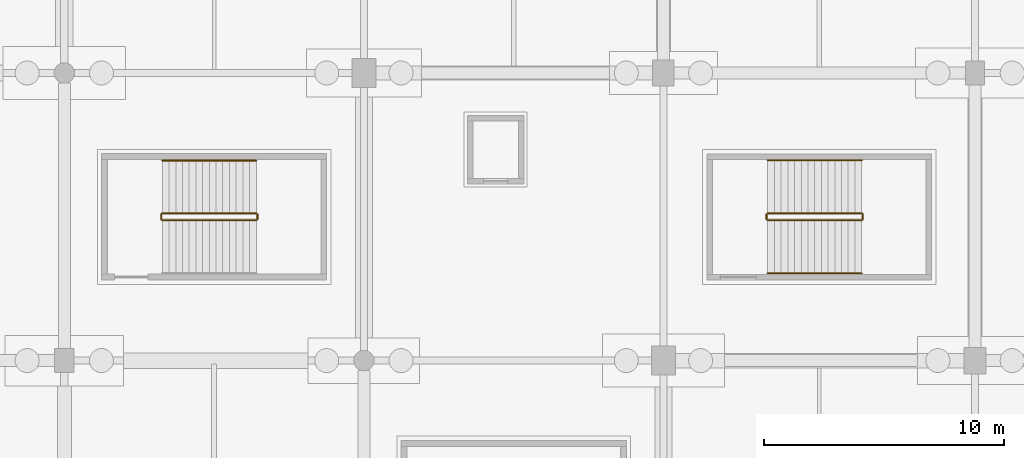
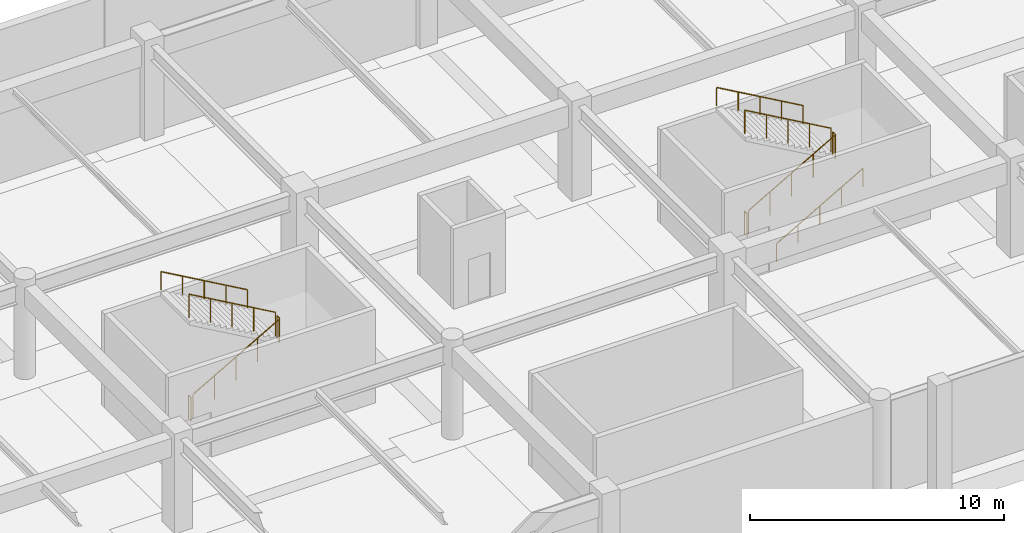
# One storey, part 54 of 56: 11 railings.
"""IFC4 building model written with IfcOpenShell, lengths in metres."""

from ifc_helpers import new_model, si_unit, direction, frame, origin, origin_2d, place, context, subcontext, project, spatial, circle, extrude, material, layer, layer_set, type_object, element, save


model = new_model("IFC4")

# Units and contexts
model_context = context("Model", 3, precision=1e-05, world=origin(), true_north=direction((0.0, 1.0)))
body_context = subcontext(model_context, "Body", "Model", "MODEL_VIEW")
ifc_project = project(units=[si_unit("LENGTHUNIT", "METRE"), si_unit("AREAUNIT", "SQUARE_METRE"), si_unit("VOLUMEUNIT", "CUBIC_METRE"), si_unit("PLANEANGLEUNIT", "RADIAN"), si_unit("MASSUNIT", "GRAM", prefix="KILO")], contexts=[model_context])

# Site, building, storey
site_placement = place(None, origin())
site = spatial("IfcSite", under=ifc_project, at=site_placement, CompositionType="ELEMENT")
building_placement = place(site_placement, origin())
building = spatial("IfcBuilding", under=site, at=building_placement, Name="Kazenohara Klinker Stadium", CompositionType="ELEMENT")
storey_placement = place(building_placement, frame((0.0, 0.0, -4.800048828125)))
storey = spatial("IfcBuildingStorey", under=building, at=storey_placement, Name="B01", CompositionType="ELEMENT", Elevation=-4.800048828125)

# Railings
ifc_material_1 = material(Name="Brushed stainless steel 304 handrail", Category="steel")
ifc_layer_1 = layer(ifc_material_1, 0.050048828125)
ifc_layer_set_1 = layer_set([ifc_layer_1], Name="Brushed stainless steel 304 handrail")
railing_type_1 = type_object("IfcRailingType", Name="RL-HND-900", PredefinedType="HANDRAIL", material=ifc_layer_set_1)
railing_1_placement = place(storey_placement, frame((82.010009765625, 152.35009765625, 2.56005859375)))
element("IfcRailing", 1, at=railing_1_placement, inside=storey, type_object=railing_type_1, Name="B01 ST09 stair handrail 2", PredefinedType="HANDRAIL", context=body_context, shape_type="SweptSolid", body=[
    extrude(circle(Radius=0.02392578125, at=origin_2d()), frame((0.0, 0.0, 0.8759765625), z_axis=(-0.868239814368, 0.0, 0.496144761885), x_axis=(0.0, -1.0, 0.0)), (0.0, 0.0, 1.0), 4.514892578125),
    extrude(circle(Radius=0.02099609375, at=origin_2d()), origin(), (0.0, 0.0, 1.0), 0.851806640625),
    extrude(circle(Radius=0.02099609375, at=origin_2d()), frame((-0.97998046875, 0.0, 0.56005859375)), (0.0, 0.0, 1.0), 0.851806640625),
    extrude(circle(Radius=0.02099609375, at=origin_2d()), frame((-1.9599609375, 0.0, 1.1201171875)), (0.0, 0.0, 1.0), 0.851806640625),
    extrude(circle(Radius=0.02099609375, at=origin_2d()), frame((-2.93994140625, 0.0, 1.679931640625)), (0.0, 0.0, 1.0), 0.851806640625),
    extrude(circle(Radius=0.02099609375, at=origin_2d()), frame((-3.919921875, 0.0, 2.239990234375)), (0.0, 0.0, 1.0), 0.851806640625),
])
railing_2_placement = place(storey_placement, frame((103.35009765625, 147.639892578125, 0.16015625)))
element("IfcRailing", 2, at=railing_2_placement, inside=storey, type_object=railing_type_1, Name="B01 ST10 stair handrail 1", PredefinedType="HANDRAIL", context=body_context, shape_type="SweptSolid", body=[
    extrude(circle(Radius=0.02392578125, at=origin_2d()), frame((0.0, 0.0, 0.8759765625), z_axis=(0.868239814368, 0.0, 0.496144761885), x_axis=(0.0, 1.0, 0.0)), (0.0, 0.0, 1.0), 4.514892578125),
    extrude(circle(Radius=0.02099609375, at=origin_2d()), origin(), (0.0, 0.0, 1.0), 0.851806640625),
    extrude(circle(Radius=0.02099609375, at=origin_2d()), frame((0.97998046875, 0.0, 0.56005859375)), (0.0, 0.0, 1.0), 0.851806640625),
    extrude(circle(Radius=0.02099609375, at=origin_2d()), frame((1.9599609375, 0.0, 1.1201171875)), (0.0, 0.0, 1.0), 0.851806640625),
    extrude(circle(Radius=0.02099609375, at=origin_2d()), frame((2.93994140625, 0.0, 1.679931640625)), (0.0, 0.0, 1.0), 0.851806640625),
    extrude(circle(Radius=0.02099609375, at=origin_2d()), frame((3.919921875, 0.0, 2.239990234375)), (0.0, 0.0, 1.0), 0.851806640625),
])
railing_3_placement = place(storey_placement, frame((107.27001953125, 152.360107421875, 2.56005859375)))
element("IfcRailing", 3, at=railing_3_placement, inside=storey, type_object=railing_type_1, Name="B01 ST10 stair handrail 2", PredefinedType="HANDRAIL", context=body_context, shape_type="SweptSolid", body=[
    extrude(circle(Radius=0.02392578125, at=origin_2d()), frame((0.0, 0.0, 0.8759765625), z_axis=(-0.868239814368, 0.0, 0.496144761885), x_axis=(0.0, -1.0, 0.0)), (0.0, 0.0, 1.0), 4.514892578125),
    extrude(circle(Radius=0.02099609375, at=origin_2d()), origin(), (0.0, 0.0, 1.0), 0.851806640625),
    extrude(circle(Radius=0.02099609375, at=origin_2d()), frame((-0.97998046875, 0.0, 0.56005859375)), (0.0, 0.0, 1.0), 0.851806640625),
    extrude(circle(Radius=0.02099609375, at=origin_2d()), frame((-1.9599609375, 0.0, 1.1201171875)), (0.0, 0.0, 1.0), 0.851806640625),
    extrude(circle(Radius=0.02099609375, at=origin_2d()), frame((-2.93994140625, 0.0, 1.679931640625)), (0.0, 0.0, 1.0), 0.851806640625),
    extrude(circle(Radius=0.02099609375, at=origin_2d()), frame((-3.919921875, 0.0, 2.239990234375)), (0.0, 0.0, 1.0), 0.851806640625),
])
ifc_material_2 = material(Name="Painted steel stairwell guardrail", Category="steel")
ifc_layer_2 = layer(ifc_material_2, 0.06005859375)
ifc_layer_set_2 = layer_set([ifc_layer_2], Name="Painted steel stairwell guardrail")
railing_type_2 = type_object("IfcRailingType", Name="RL-STG-1120", PredefinedType="GUARDRAIL", material=ifc_layer_set_2)
railing_4_placement = place(storey_placement, frame((78.090087890625, 149.85009765625, 0.16015625)))
element("IfcRailing", 4, at=railing_4_placement, inside=storey, type_object=railing_type_2, Name="B01 ST09 stair guard 1", PredefinedType="GUARDRAIL", context=body_context, shape_type="SweptSolid", body=[
    extrude(circle(Radius=0.02392578125, at=origin_2d()), frame((0.0, 0.0, 1.1259765625), z_axis=(0.868239814368, 0.0, 0.496144761885), x_axis=(0.0, 1.0, 0.0)), (0.0, 0.0, 1.0), 4.514892578125),
    extrude(circle(Radius=0.02099609375, at=origin_2d()), origin(), (0.0, 0.0, 1.0), 1.101806640625),
    extrude(circle(Radius=0.02099609375, at=origin_2d()), frame((0.97998046875, 0.0, 0.56005859375)), (0.0, 0.0, 1.0), 1.101806640625),
    extrude(circle(Radius=0.02099609375, at=origin_2d()), frame((1.9599609375, 0.0, 1.1201171875)), (0.0, 0.0, 1.0), 1.101806640625),
    extrude(circle(Radius=0.02099609375, at=origin_2d()), frame((2.93994140625, 0.0, 1.679931640625)), (0.0, 0.0, 1.0), 1.101806640625),
    extrude(circle(Radius=0.02099609375, at=origin_2d()), frame((3.919921875, 0.0, 2.239990234375)), (0.0, 0.0, 1.0), 1.101806640625),
])
railing_5_placement = place(storey_placement, frame((82.06005859375, 149.89990234375, 2.400146484375)))
element("IfcRailing", 5, at=railing_5_placement, inside=storey, type_object=railing_type_2, Name="B01 ST09 stair guard 2", PredefinedType="GUARDRAIL", context=body_context, shape_type="SweptSolid", body=[
    extrude(circle(Radius=0.02392578125, at=origin_2d()), frame((0.0, 0.0, 1.1259765625), z_axis=(0.0, 1.0, 0.0), x_axis=(-1.0, 0.0, 0.0)), (0.0, 0.0, 1.0), 0.2001953125),
    extrude(circle(Radius=0.02099609375, at=origin_2d()), origin(), (0.0, 0.0, 1.0), 1.101806640625),
    extrude(circle(Radius=0.02099609375, at=origin_2d()), frame((0.0, 0.2001953125, 0.0)), (0.0, 0.0, 1.0), 1.101806640625),
])
railing_6_placement = place(storey_placement, frame((82.010009765625, 150.14990234375, 2.56005859375)))
element("IfcRailing", 6, at=railing_6_placement, inside=storey, type_object=railing_type_2, Name="B01 ST09 stair guard 3", PredefinedType="GUARDRAIL", context=body_context, shape_type="SweptSolid", body=[
    extrude(circle(Radius=0.02392578125, at=origin_2d()), frame((0.0, 0.0, 1.1259765625), z_axis=(-0.868239814368, 0.0, 0.496144761885), x_axis=(0.0, -1.0, 0.0)), (0.0, 0.0, 1.0), 4.514892578125),
    extrude(circle(Radius=0.02099609375, at=origin_2d()), origin(), (0.0, 0.0, 1.0), 1.101806640625),
    extrude(circle(Radius=0.02099609375, at=origin_2d()), frame((-0.97998046875, 0.0, 0.56005859375)), (0.0, 0.0, 1.0), 1.101806640625),
    extrude(circle(Radius=0.02099609375, at=origin_2d()), frame((-1.9599609375, 0.0, 1.1201171875)), (0.0, 0.0, 1.0), 1.101806640625),
    extrude(circle(Radius=0.02099609375, at=origin_2d()), frame((-2.93994140625, 0.0, 1.679931640625)), (0.0, 0.0, 1.0), 1.101806640625),
    extrude(circle(Radius=0.02099609375, at=origin_2d()), frame((-3.919921875, 0.0, 2.239990234375)), (0.0, 0.0, 1.0), 1.101806640625),
])
railing_7_placement = place(storey_placement, frame((78.0400390625, 149.89990234375, 0.0)))
element("IfcRailing", 7, at=railing_7_placement, inside=storey, type_object=railing_type_2, Name="B01 ST09 stair guard 4", PredefinedType="GUARDRAIL", context=body_context, shape_type="SweptSolid", body=[
    extrude(circle(Radius=0.02392578125, at=origin_2d()), frame((0.0, 0.0, 1.1259765625), z_axis=(0.0, 1.0, 0.0), x_axis=(-1.0, 0.0, 0.0)), (0.0, 0.0, 1.0), 0.2001953125),
    extrude(circle(Radius=0.02099609375, at=origin_2d()), origin(), (0.0, 0.0, 1.0), 1.101806640625),
    extrude(circle(Radius=0.02099609375, at=origin_2d()), frame((0.0, 0.2001953125, 0.0)), (0.0, 0.0, 1.0), 1.101806640625),
])
railing_8_placement = place(storey_placement, frame((103.35009765625, 149.85009765625, 0.16015625)))
element("IfcRailing", 8, at=railing_8_placement, inside=storey, type_object=railing_type_2, Name="B01 ST10 stair guard 1", PredefinedType="GUARDRAIL", context=body_context, shape_type="SweptSolid", body=[
    extrude(circle(Radius=0.02392578125, at=origin_2d()), frame((0.0, 0.0, 1.1259765625), z_axis=(0.868239814368, 0.0, 0.496144761885), x_axis=(0.0, 1.0, 0.0)), (0.0, 0.0, 1.0), 4.514892578125),
    extrude(circle(Radius=0.02099609375, at=origin_2d()), origin(), (0.0, 0.0, 1.0), 1.101806640625),
    extrude(circle(Radius=0.02099609375, at=origin_2d()), frame((0.97998046875, 0.0, 0.56005859375)), (0.0, 0.0, 1.0), 1.101806640625),
    extrude(circle(Radius=0.02099609375, at=origin_2d()), frame((1.9599609375, 0.0, 1.1201171875)), (0.0, 0.0, 1.0), 1.101806640625),
    extrude(circle(Radius=0.02099609375, at=origin_2d()), frame((2.93994140625, 0.0, 1.679931640625)), (0.0, 0.0, 1.0), 1.101806640625),
    extrude(circle(Radius=0.02099609375, at=origin_2d()), frame((3.919921875, 0.0, 2.239990234375)), (0.0, 0.0, 1.0), 1.101806640625),
])
railing_9_placement = place(storey_placement, frame((107.320068359375, 149.89990234375, 2.400146484375)))
element("IfcRailing", 9, at=railing_9_placement, inside=storey, type_object=railing_type_2, Name="B01 ST10 stair guard 2", PredefinedType="GUARDRAIL", context=body_context, shape_type="SweptSolid", body=[
    extrude(circle(Radius=0.02392578125, at=origin_2d()), frame((0.0, 0.0, 1.1259765625), z_axis=(0.0, 1.0, 0.0), x_axis=(-1.0, 0.0, 0.0)), (0.0, 0.0, 1.0), 0.2001953125),
    extrude(circle(Radius=0.02099609375, at=origin_2d()), origin(), (0.0, 0.0, 1.0), 1.101806640625),
    extrude(circle(Radius=0.02099609375, at=origin_2d()), frame((0.0, 0.2001953125, 0.0)), (0.0, 0.0, 1.0), 1.101806640625),
])
railing_10_placement = place(storey_placement, frame((107.27001953125, 150.14990234375, 2.56005859375)))
element("IfcRailing", 10, at=railing_10_placement, inside=storey, type_object=railing_type_2, Name="B01 ST10 stair guard 3", PredefinedType="GUARDRAIL", context=body_context, shape_type="SweptSolid", body=[
    extrude(circle(Radius=0.02392578125, at=origin_2d()), frame((0.0, 0.0, 1.1259765625), z_axis=(-0.868239814368, 0.0, 0.496144761885), x_axis=(0.0, -1.0, 0.0)), (0.0, 0.0, 1.0), 4.514892578125),
    extrude(circle(Radius=0.02099609375, at=origin_2d()), origin(), (0.0, 0.0, 1.0), 1.101806640625),
    extrude(circle(Radius=0.02099609375, at=origin_2d()), frame((-0.97998046875, 0.0, 0.56005859375)), (0.0, 0.0, 1.0), 1.101806640625),
    extrude(circle(Radius=0.02099609375, at=origin_2d()), frame((-1.9599609375, 0.0, 1.1201171875)), (0.0, 0.0, 1.0), 1.101806640625),
    extrude(circle(Radius=0.02099609375, at=origin_2d()), frame((-2.93994140625, 0.0, 1.679931640625)), (0.0, 0.0, 1.0), 1.101806640625),
    extrude(circle(Radius=0.02099609375, at=origin_2d()), frame((-3.919921875, 0.0, 2.239990234375)), (0.0, 0.0, 1.0), 1.101806640625),
])
railing_11_placement = place(storey_placement, frame((103.300048828125, 149.89990234375, 0.0)))
element("IfcRailing", 11, at=railing_11_placement, inside=storey, type_object=railing_type_2, Name="B01 ST10 stair guard 4", PredefinedType="GUARDRAIL", context=body_context, shape_type="SweptSolid", body=[
    extrude(circle(Radius=0.02392578125, at=origin_2d()), frame((0.0, 0.0, 1.1259765625), z_axis=(0.0, 1.0, 0.0), x_axis=(-1.0, 0.0, 0.0)), (0.0, 0.0, 1.0), 0.2001953125),
    extrude(circle(Radius=0.02099609375, at=origin_2d()), origin(), (0.0, 0.0, 1.0), 1.101806640625),
    extrude(circle(Radius=0.02099609375, at=origin_2d()), frame((0.0, 0.2001953125, 0.0)), (0.0, 0.0, 1.0), 1.101806640625),
])

save(model, "model.ifc")
